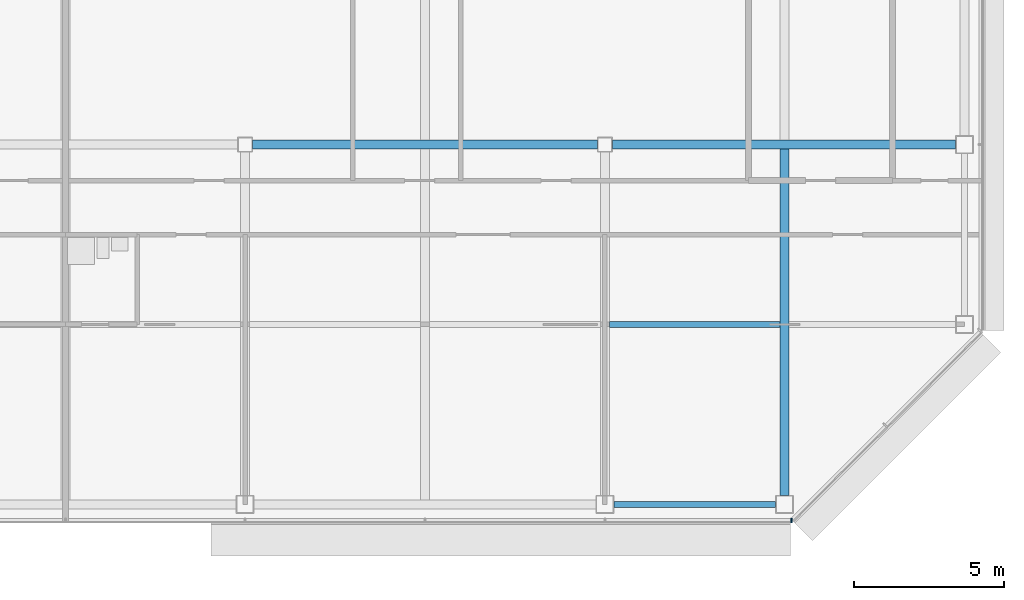
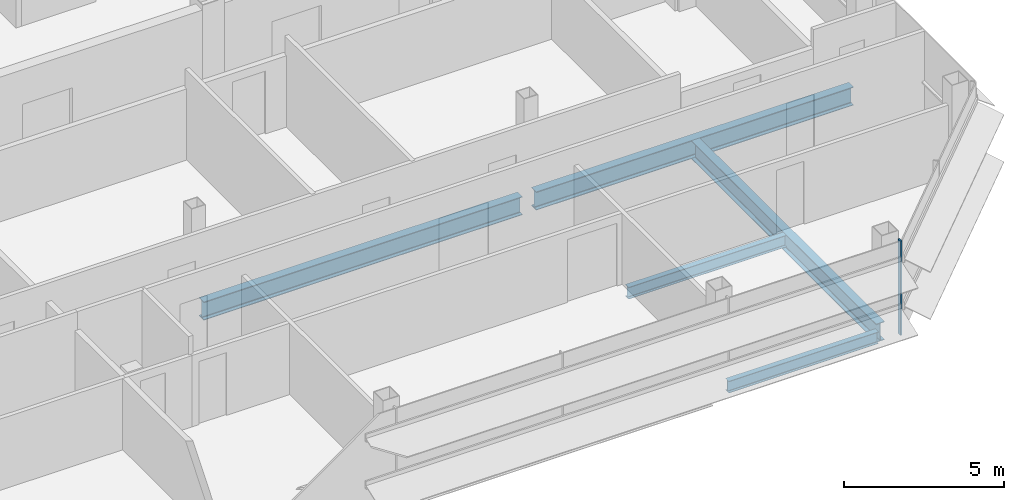
# One storey, part 10 of 27: 5 beams, 1 member, 1 element without a shape of its own.
"""IFC4 building model written with IfcOpenShell, lengths in metres."""

from ifc_helpers import new_model, si_unit, direction, frame, origin, origin_2d, place, context, subcontext, project, spatial, rectangle, i_section, extrude, material, material_profile, profile_set, type_object, element, aggregate, save


model = new_model("IFC4")

# Units and contexts
model_context = context("Model", 3, precision=1e-05, world=origin(), true_north=direction((0.0, 1.0)))
body_context = subcontext(model_context, "Body", "Model", "MODEL_VIEW")
ifc_project = project(units=[si_unit("LENGTHUNIT", "METRE"), si_unit("AREAUNIT", "SQUARE_METRE"), si_unit("VOLUMEUNIT", "CUBIC_METRE"), si_unit("PLANEANGLEUNIT", "RADIAN"), si_unit("MASSUNIT", "GRAM", prefix="KILO")], contexts=[model_context])

# Site, building, storey
site_placement = place(None, origin())
site = spatial("IfcSite", under=ifc_project, at=site_placement, CompositionType="ELEMENT")
building_placement = place(site_placement, origin())
building = spatial("IfcBuilding", under=site, at=building_placement, Name="Sorahane Residences", CompositionType="ELEMENT")
storey_placement = place(building_placement, frame((0.0, 0.0, 294.39990234375)))
storey = spatial("IfcBuildingStorey", under=building, at=storey_placement, Name="L69", CompositionType="ELEMENT", Elevation=294.39990234375)

# Curtain wall, member
ifc_material_1 = material(Name="Dark low-e glass and black anodised aluminium", Category="aluminium")
curtain_wall_type = type_object("IfcCurtainWallType", Name="Curtain wall CW-1 Typical unitised wall", PredefinedType="NOTDEFINED", material=ifc_material_1)
curtain_wall_placement = place(storey_placement, origin())
curtain_wall = element("IfcCurtainWall", 1, at=curtain_wall_placement, inside=storey, type_object=curtain_wall_type, Name="CW-1 curtain wall L69 S1", PredefinedType="NOTDEFINED")
ifc_material_2 = material(Name="Black anodised aluminium", Category="aluminium")
ifc_material_profile_1 = material_profile(ifc_material_2, rectangle(XDim=0.159912109375, YDim=0.050048828125, at=origin_2d()), Name="Curtain wall mullion CW-1 black anodised aluminium 50x160")
ifc_profile_set_1 = profile_set([ifc_material_profile_1], Name="Black anodised aluminium")
member_type = type_object("IfcMemberType", Name="Curtain wall mullion CW-1 black anodised aluminium 50x160", PredefinedType="MULLION", material=ifc_profile_set_1)
member_placement = place(storey_placement, frame((42.2236328125, -0.5400390625, -0.179931640625), z_axis=(0.0, 0.0, 1.0), x_axis=(0.0, -1.0, 0.0)))
member = element("IfcMember", 2, at=member_placement, type_object=member_type, Name="CW-1 mullion L69 S1.10", PredefinedType="MULLION", context=body_context, shape_type="SweptSolid", body=[
    extrude(rectangle(XDim=0.159912109375, YDim=0.050048828125, at=origin_2d()), origin(), (0.0, 0.0, 1.0), 3.60009765625),
])
aggregate(curtain_wall, [member])

# Beams
ifc_material_3 = material(Name="Steel Q355B", Category="steel")
ifc_material_profile_2 = material_profile(ifc_material_3, i_section(OverallWidth=0.199951171875, OverallDepth=0.449951171875, WebThickness=0.009033203125, FlangeThickness=0.013916015625, FilletRadius=0.02001953125, at=origin_2d()), Name="HN 450x200x9x14")
ifc_profile_set_2 = profile_set([ifc_material_profile_2], Name="Steel Q355B")
beam_type_1 = type_object("IfcBeamType", Name="Steel floor beam HN 450x200x9x14 Q355B", PredefinedType="BEAM", material=ifc_profile_set_2)
beam_1_placement = place(storey_placement, frame((36.300048828125, 0.0, -0.40478515625), z_axis=(1.0, 0.0, 0.0), x_axis=(0.0, 1.0, 0.0)))
element("IfcBeam", 3, at=beam_1_placement, inside=storey, type_object=beam_type_1, Name="Beam L69 004", PredefinedType="BEAM", context=body_context, shape_type="SweptSolid", body=[
    extrude(i_section(OverallWidth=0.199951171875, OverallDepth=0.449951171875, WebThickness=0.009033203125, FlangeThickness=0.013916015625, FilletRadius=0.02001953125, at=origin_2d()), origin(), (0.0, 0.0, 1.0), 5.39990234375),
])
beam_2_placement = place(storey_placement, frame((36.14990234375, 6.0, -0.40478515625), z_axis=(1.0, 0.0, 0.0), x_axis=(0.0, 1.0, 0.0)))
element("IfcBeam", 4, at=beam_2_placement, inside=storey, type_object=beam_type_1, Name="Beam L69 074", PredefinedType="BEAM", context=body_context, shape_type="SweptSolid", body=[
    extrude(i_section(OverallWidth=0.199951171875, OverallDepth=0.449951171875, WebThickness=0.009033203125, FlangeThickness=0.013916015625, FilletRadius=0.02001953125, at=origin_2d()), origin(), (0.0, 0.0, 1.0), 5.7001953125),
])
ifc_material_4 = material(Name="Steel Q355B", Category="steel")
ifc_material_profile_3 = material_profile(ifc_material_4, i_section(OverallWidth=0.300048828125, OverallDepth=0.699951171875, WebThickness=0.012939453125, FlangeThickness=0.02392578125, FilletRadius=0.028076171875, at=origin_2d()), Name="HN 700x300x13x24")
ifc_profile_set_3 = profile_set([ifc_material_profile_3], Name="Steel Q355B")
beam_type_2 = type_object("IfcBeamType", Name="Steel floor beam HN 700x300x13x24 Q355B", PredefinedType="BEAM", material=ifc_profile_set_3)
beam_3_placement = place(storey_placement, frame((24.25, 12.0, -0.52978515625), z_axis=(1.0, 0.0, 0.0), x_axis=(0.0, 1.0, 0.0)))
element("IfcBeam", 5, at=beam_3_placement, inside=storey, type_object=beam_type_2, Name="Beam L69 009", PredefinedType="BEAM", context=body_context, shape_type="SweptSolid", body=[
    extrude(i_section(OverallWidth=0.300048828125, OverallDepth=0.699951171875, WebThickness=0.012939453125, FlangeThickness=0.02392578125, FilletRadius=0.028076171875, at=origin_2d()), origin(), (0.0, 0.0, 1.0), 11.5),
])
beam_4_placement = place(storey_placement, frame((36.25, 12.0, -0.52978515625), z_axis=(1.0, 0.0, 0.0), x_axis=(0.0, 1.0, 0.0)))
element("IfcBeam", 6, at=beam_4_placement, inside=storey, type_object=beam_type_2, Name="Beam L69 010", PredefinedType="BEAM", context=body_context, shape_type="SweptSolid", body=[
    extrude(i_section(OverallWidth=0.300048828125, OverallDepth=0.699951171875, WebThickness=0.012939453125, FlangeThickness=0.02392578125, FilletRadius=0.028076171875, at=origin_2d()), origin(), (0.0, 0.0, 1.0), 11.449951171875),
])
beam_5_placement = place(storey_placement, frame((42.0, 0.300048828125, -0.52978515625), z_axis=(0.0, 1.0, 0.0), x_axis=(-1.0, 0.0, 0.0)))
element("IfcBeam", 7, at=beam_5_placement, inside=storey, type_object=beam_type_2, Name="Beam L69 056", PredefinedType="BEAM", context=body_context, shape_type="SweptSolid", body=[
    extrude(i_section(OverallWidth=0.300048828125, OverallDepth=0.699951171875, WebThickness=0.012939453125, FlangeThickness=0.02392578125, FilletRadius=0.028076171875, at=origin_2d()), origin(), (0.0, 0.0, 1.0), 11.550048828125),
])

save(model, "model.ifc")
